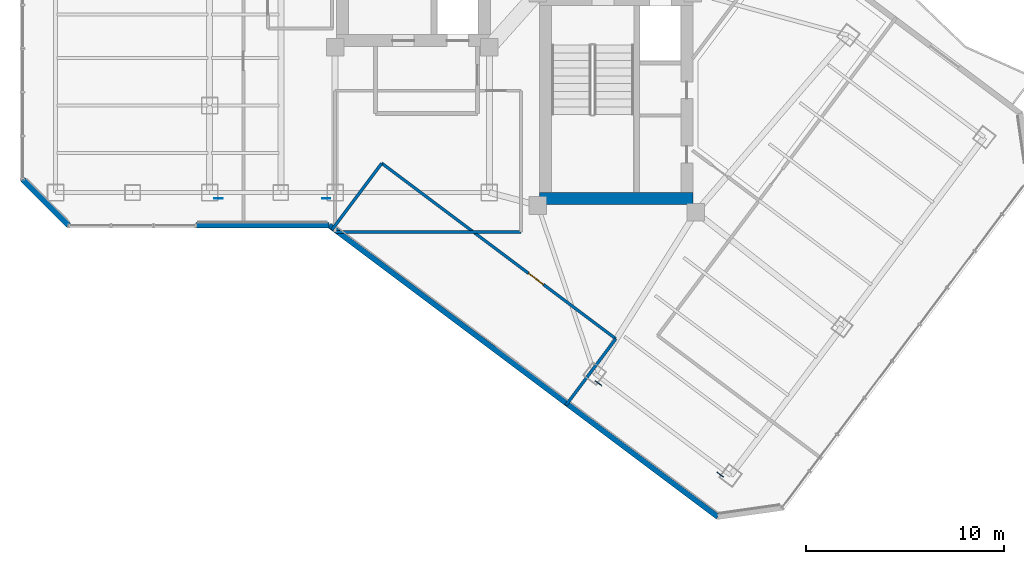
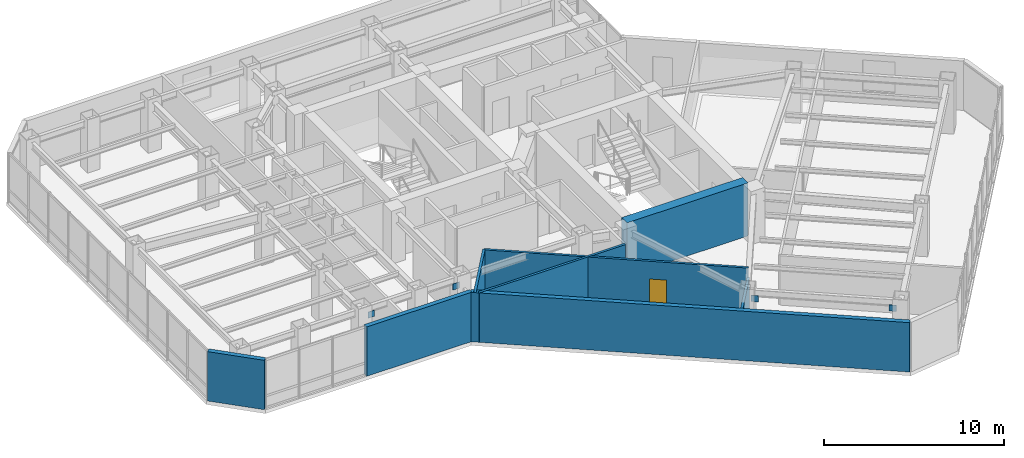
# One storey, part 21 of 26: 8 walls, 4 plates, 1 door, 1 opening.
"""IFC4 building model written with IfcOpenShell, lengths in metres."""

from ifc_helpers import new_model, si_unit, direction, frame, frame_2d, origin, origin_2d, place, context, subcontext, project, spatial, rectangle, extrude, material, layer, layer_set, type_object, element, fill, save


model = new_model("IFC4")

# Units and contexts
model_context = context("Model", 3, precision=1e-05, world=origin(), true_north=direction((0.0, 1.0)))
body_context = subcontext(model_context, "Body", "Model", "MODEL_VIEW")
ifc_project = project(units=[si_unit("LENGTHUNIT", "METRE"), si_unit("AREAUNIT", "SQUARE_METRE"), si_unit("VOLUMEUNIT", "CUBIC_METRE"), si_unit("PLANEANGLEUNIT", "RADIAN"), si_unit("MASSUNIT", "GRAM", prefix="KILO")], contexts=[model_context])

# Site, building, storey
site_placement = place(None, origin())
site = spatial("IfcSite", under=ifc_project, at=site_placement, CompositionType="ELEMENT")
building_placement = place(site_placement, origin())
building = spatial("IfcBuilding", under=site, at=building_placement, Name="Hatsunagi Terrace Concourse", CompositionType="ELEMENT")
storey_placement = place(building_placement, frame((0.0, 0.0, 152.85009765625)))
storey = spatial("IfcBuildingStorey", under=building, at=storey_placement, Name="L40", CompositionType="ELEMENT", Elevation=152.85009765625)

# Plates
ifc_material_1 = material(Name="Steel SN490C", Category="steel")
ifc_layer_1 = layer(ifc_material_1, 0.031982421875)
ifc_layer_set_1 = layer_set([ifc_layer_1], Name="XBraceNodeCapPlate_32")
plate_type = type_object("IfcPlateType", Name="XBraceNodeCapPlate_32", PredefinedType="USERDEFINED", material=ifc_layer_set_1)
for number, where, z_axis, x_axis, name in (
    (1, (19.64990234375, 24.89990234375, 2.699951171875), (0.0, 0.0, 1.0), (1.0, 0.0, 0.0), "Cast-In Core and Node Embed Plate GP-02 EP-XB-L38-W1-AT"),
    (2, (25.10009765625, 24.89990234375, 2.699951171875), (0.0, 0.0, 1.0), (1.0, 0.0, 0.0), "Cast-In Core and Node Embed Plate GP-02 EP-XB-L38-W1-BT"),
    (3, (38.8720703125, 15.5458984375, 2.699951171875), (0.0, 0.0, 1.0), (0.799999996291, -0.600000004945, 0.0), "Cast-In Core and Node Embed Plate GP-02 EP-XB-L38-SE-AT"),
    (4, (45.031982421875, 10.926025390625, 2.699951171875), (0.0, 0.0, 1.0), (0.799999996291, -0.600000004945, 0.0), "Cast-In Core and Node Embed Plate GP-02 EP-XB-L38-SE-BT"),
):
    element("IfcPlate", number, at=place(storey_placement, frame(where, z_axis=z_axis, x_axis=x_axis)), inside=storey, type_object=plate_type, Name=name, ObjectType="GUSSET_PLATE", PredefinedType="USERDEFINED", context=body_context, shape_type="SweptSolid", body=[
        extrude(rectangle(XDim=0.419921875, YDim=0.031982421875, at=origin_2d()), origin(), (0.0, 0.0, 1.0), 0.419921875),
    ])

# Walls
ifc_material_2 = material(Name="Concrete Fc48", Category="concrete")
ifc_layer_2 = layer(ifc_material_2, 0.60009765625)
ifc_layer_set_2 = layer_set([ifc_layer_2], Name="CoreShearWall_Fc48_600")
wall_type_1 = type_object("IfcWallType", Name="CoreShearWall_Fc48_600", PredefinedType="SHEAR", material=ifc_layer_set_2)
wall_1_placement = place(storey_placement, frame((35.889892578125, 24.889892578125, 0.0), z_axis=(0.0, 0.0, 1.0), x_axis=(1.0, 0.0, 0.0)))
element("IfcWall", 5, at=wall_1_placement, inside=storey, type_object=wall_type_1, Name="Core B Shear Wall S L40", PredefinedType="SHEAR", context=body_context, shape_type="SweptSolid", body=[
    extrude(rectangle(XDim=7.760009765625, YDim=0.60009765625, at=frame_2d((3.8798828125, 0.0))), origin(), (0.0, 0.0, 1.0), 3.599853515625),
])
ifc_material_3 = material(Name="Acoustic mineral board", Category="gypsum")
ifc_layer_3 = layer(ifc_material_3, 0.14990234375)
ifc_layer_set_3 = layer_set([ifc_layer_3], Name="PartitionWall_EI60_150")
wall_type_2 = type_object("IfcWallType", Name="PartitionWall_EI60_150", PredefinedType="PARTITIONING", material=ifc_layer_set_3)
wall_2_placement = place(storey_placement, frame((25.550048828125, 23.199951171875, 0.0), z_axis=(0.0, 0.0, 1.0), x_axis=(1.0, 0.0, 0.0)))
element("IfcWall", 6, at=wall_2_placement, inside=storey, type_object=wall_type_2, Name="Interior Partition IW-L40-026", PredefinedType="PARTITIONING", context=body_context, shape_type="SweptSolid", body=[
    extrude(rectangle(XDim=9.39990234375, YDim=0.14990234375, at=frame_2d((4.699951171875, 0.0))), origin(), (0.0, 0.0, 1.0), 3.349853515625),
])

# Wall, opening, door
wall_3_placement = place(storey_placement, frame((27.909912109375, 26.679931640625, 0.0), z_axis=(0.0, 0.0, 1.0), x_axis=(0.800005938517, -0.599992081896, 0.0)))
wall_3 = element("IfcWall", 7, at=wall_3_placement, inside=storey, type_object=wall_type_2, Name="Interior Partition IW-L40-036", PredefinedType="PARTITIONING", context=body_context, shape_type="SweptSolid", body=[
    extrude(rectangle(XDim=14.800048828125, YDim=0.14990234375, at=frame_2d((7.39990234375, 0.0))), origin(), (0.0, 0.0, 1.0), 3.349853515625),
])
opening_placement = place(wall_3_placement, frame((9.281005859375, 0.0, 0.0)))
opening = element("IfcOpeningElement", 8, at=opening_placement, cuts=wall_3, Name="Opening DR-095", PredefinedType="OPENING", context=body_context, shape_type="SweptSolid", body=[
    extrude(rectangle(XDim=0.949951171875, YDim=2.14990234375, at=frame_2d((0.47509765625, 1.074951171875))), frame((0.0, 0.0849609375, 0.0), z_axis=(0.0, -1.0, 0.0), x_axis=(1.0, 0.0, 0.0)), (0.0, 0.0, 1.0), 0.169921875),
])
ifc_material_4 = material(Name="Hardwood timber", Category="wood")
door_type = type_object("IfcDoorType", Name="InteriorSuiteDoor_EI30_950", OperationType="NOTDEFINED", PredefinedType="DOOR", material=ifc_material_4)
door_placement = place(opening_placement, origin())
door = element("IfcDoor", 9, at=door_placement, inside=storey, type_object=door_type, Name="Research Focus Suite L40-OSWS Door", OperationType="SINGLE_SWING_RIGHT", OverallHeight=2.14990234375, OverallWidth=0.949951171875, PredefinedType="DOOR", context=body_context, shape_type="SweptSolid", body=[
    extrude(rectangle(XDim=0.949951171875, YDim=2.14990234375, at=frame_2d((0.47509765625, 1.074951171875))), frame((0.0, 0.02490234375, 0.0), z_axis=(0.0, -1.0, 0.0), x_axis=(1.0, 0.0, 0.0)), (0.0, 0.0, 1.0), 0.050048828125),
])
fill(opening, door)

# Walls
wall_4_placement = place(storey_placement, frame((25.384033203125, 23.31201171875, 0.0), z_axis=(0.0, 0.0, 1.0), x_axis=(0.599990721155, 0.80000695905, 0.0)))
element("IfcWall", 10, at=wall_4_placement, inside=storey, type_object=wall_type_2, Name="Interior Partition IW-L40-037", PredefinedType="PARTITIONING", context=body_context, shape_type="SweptSolid", body=[
    extrude(rectangle(XDim=4.2099609375, YDim=0.14990234375, at=frame_2d((2.10498046875, 0.0))), origin(), (0.0, 0.0, 1.0), 3.349853515625),
])
wall_5_placement = place(storey_placement, frame((37.22412109375, 14.431884765625, 0.0), z_axis=(0.0, 0.0, 1.0), x_axis=(0.599962885857, 0.800027834262, 0.0)))
element("IfcWall", 11, at=wall_5_placement, inside=storey, type_object=wall_type_2, Name="Interior Partition IW-L40-038", PredefinedType="PARTITIONING", context=body_context, shape_type="SweptSolid", body=[
    extrude(rectangle(XDim=4.2099609375, YDim=0.14990234375, at=frame_2d((2.10498046875, 0.0))), origin(), (0.0, 0.0, 1.0), 2.69482421875),
])
ifc_material_5 = material(Name="Autoclaved Lightweight Concrete and Terracotta Cladding", Category="masonry")
ifc_layer_4 = layer(ifc_material_5, 0.280029296875)
ifc_layer_set_4 = layer_set([ifc_layer_4], Name="TerracottaSpandrelWall_280")
wall_type_3 = type_object("IfcWallType", Name="TerracottaSpandrelWall_280", PredefinedType="STANDARD", material=ifc_layer_set_4)
wall_6_placement = place(storey_placement, frame((44.91796875, 8.787109375, 0.0), z_axis=(0.0, 0.0, 1.0), x_axis=(-0.800004765927, 0.599993645378, 0.0)))
element("IfcWall", 12, at=wall_6_placement, inside=storey, type_object=wall_type_3, Name="Exterior Spandrel Wall EW-L40-05", PredefinedType="STANDARD", context=body_context, shape_type="SweptSolid", body=[
    extrude(rectangle(XDim=24.58837890625, YDim=0.280029296875, at=frame_2d((12.294189453125, 0.0))), origin(), (0.0, 0.0, 1.0), 3.349853515625),
])
wall_7_placement = place(storey_placement, frame((25.2470703125, 23.5400390625, 0.0), z_axis=(0.0, 0.0, 1.0), x_axis=(-1.0, 0.0, 0.0)))
element("IfcWall", 13, at=wall_7_placement, inside=storey, type_object=wall_type_3, Name="Exterior Spandrel Wall EW-L40-06", PredefinedType="STANDARD", context=body_context, shape_type="SweptSolid", body=[
    extrude(rectangle(XDim=6.7470703125, YDim=0.280029296875, at=frame_2d((3.37353515625, 0.0))), origin(), (0.0, 0.0, 1.0), 3.349853515625),
])
wall_8_placement = place(storey_placement, frame((12.05810546875, 23.5400390625, 0.0), z_axis=(0.0, 0.0, 1.0), x_axis=(-0.707144017911, 0.707069542501, 0.0)))
element("IfcWall", 14, at=wall_8_placement, inside=storey, type_object=wall_type_3, Name="Exterior Spandrel Wall EW-L40-08", PredefinedType="STANDARD", context=body_context, shape_type="SweptSolid", body=[
    extrude(rectangle(XDim=3.278076171875, YDim=0.280029296875, at=frame_2d((1.63916015625, 0.0))), origin(), (0.0, 0.0, 1.0), 3.349853515625),
])

save(model, "model.ifc")
